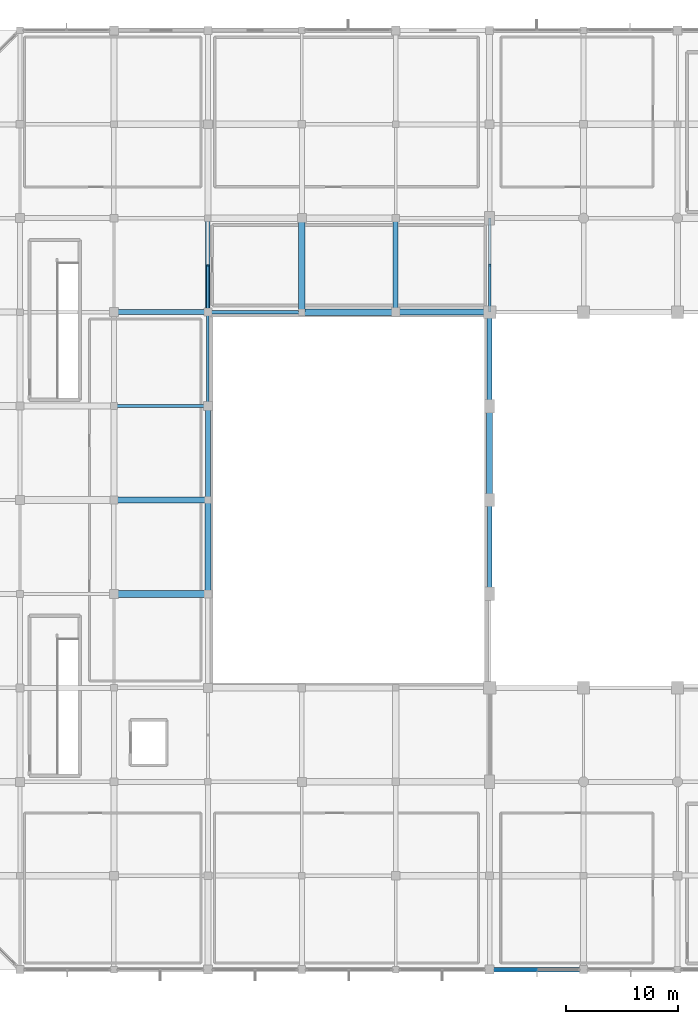
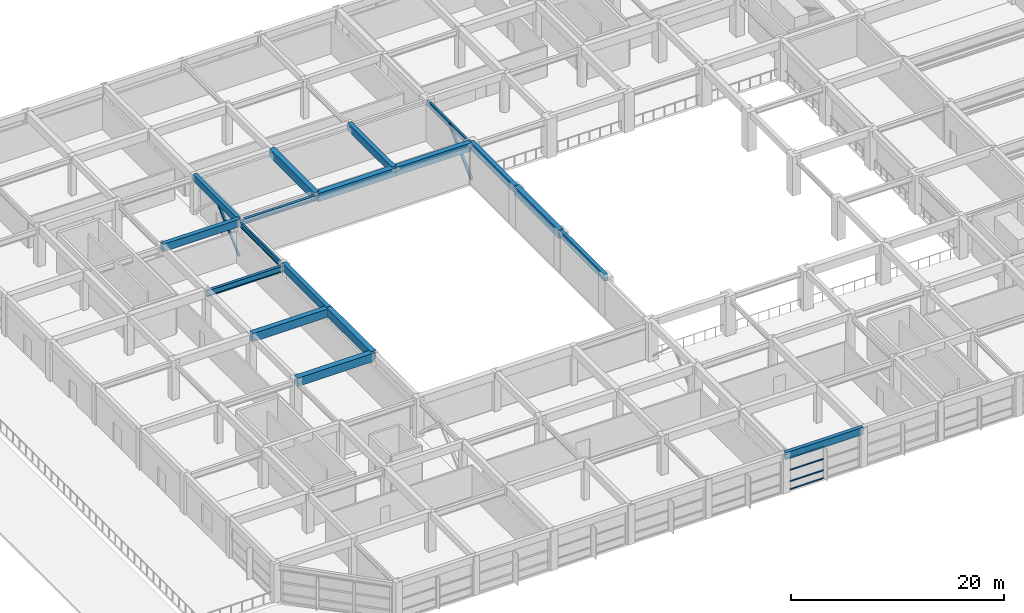
# One storey, part 15 of 56: 18 beams, 6 members, 1 element without a shape of its own.
"""IFC4 building model written with IfcOpenShell, lengths in metres."""

from ifc_helpers import new_model, si_unit, direction, frame, origin, origin_2d, place, context, subcontext, project, spatial, rectangle, hollow_rectangle, i_section, extrude, material, material_profile, profile_set, type_object, element, aggregate, save


model = new_model("IFC4")

# Units and contexts
model_context = context("Model", 3, precision=1e-05, world=origin(), true_north=direction((0.0, 1.0)))
body_context = subcontext(model_context, "Body", "Model", "MODEL_VIEW")
ifc_project = project(units=[si_unit("LENGTHUNIT", "METRE"), si_unit("AREAUNIT", "SQUARE_METRE"), si_unit("VOLUMEUNIT", "CUBIC_METRE"), si_unit("PLANEANGLEUNIT", "RADIAN"), si_unit("MASSUNIT", "GRAM", prefix="KILO")], contexts=[model_context])

# Site, building, storey
site_placement = place(None, origin())
site = spatial("IfcSite", under=ifc_project, at=site_placement, CompositionType="ELEMENT")
building_placement = place(site_placement, origin())
building = spatial("IfcBuilding", under=site, at=building_placement, Name="Xuanlan Plaza Opera House", CompositionType="ELEMENT")
storey_placement = place(building_placement, frame((0.0, 0.0, 18.89990234375)))
storey = spatial("IfcBuildingStorey", under=building, at=storey_placement, Name="L04", CompositionType="ELEMENT", Elevation=18.89990234375)

# Curtain wall, members
ifc_material_1 = material(Name="Anodised Aluminium 6063-T6 and Low-E Glass", Category="aluminium")
curtain_wall_type = type_object("IfcCurtainWallType", Name="ENV-CW-CW-05", PredefinedType="USERDEFINED", material=ifc_material_1)
curtain_wall_placement = place(storey_placement, origin())
curtain_wall = element("IfcCurtainWall", 1, at=curtain_wall_placement, inside=storey, type_object=curtain_wall_type, Name="Acoustic Glazed Wall L04-006", ObjectType="ACOUSTIC GLAZED WALL", PredefinedType="USERDEFINED")
ifc_material_2 = material(Name="Anodised Aluminium 6063-T6", Category="aluminium")
ifc_material_profile_1 = material_profile(ifc_material_2, rectangle(XDim=0.074951171875, YDim=0.14990234375, at=origin_2d()), Name="ALU-T 75x150")
ifc_profile_set_1 = profile_set([ifc_material_profile_1], Name="Anodised Aluminium 6063-T6")
member_type_1 = type_object("IfcMemberType", Name="ENV-CWT-03", PredefinedType="USERDEFINED", material=ifc_profile_set_1)
member_1_placement = place(storey_placement, frame((67.68994140625, 16.800048828125, 0.03759765625), z_axis=(1.0, 0.0, 0.0), x_axis=(0.0, 1.0, 0.0)))
member_1 = element("IfcMember", 2, at=member_1_placement, type_object=member_type_1, Name="CW-05 transom 1.1", ObjectType="TRANSOM", PredefinedType="USERDEFINED", context=body_context, shape_type="SweptSolid", body=[
    extrude(rectangle(XDim=0.074951171875, YDim=0.14990234375, at=origin_2d()), origin(), (0.0, 0.0, 1.0), 3.699951171875),
])
member_2_placement = place(storey_placement, frame((67.68994140625, 16.800048828125, 0.9501953125), z_axis=(1.0, 0.0, 0.0), x_axis=(0.0, 1.0, 0.0)))
member_2 = element("IfcMember", 3, at=member_2_placement, type_object=member_type_1, Name="CW-05 transom 1.2", ObjectType="TRANSOM", PredefinedType="USERDEFINED", context=body_context, shape_type="SweptSolid", body=[
    extrude(rectangle(XDim=0.074951171875, YDim=0.14990234375, at=origin_2d()), origin(), (0.0, 0.0, 1.0), 3.699951171875),
])
member_3_placement = place(storey_placement, frame((67.68994140625, 16.800048828125, 2.25), z_axis=(1.0, 0.0, 0.0), x_axis=(0.0, 1.0, 0.0)))
member_3 = element("IfcMember", 4, at=member_3_placement, type_object=member_type_1, Name="CW-05 transom 1.3", ObjectType="TRANSOM", PredefinedType="USERDEFINED", context=body_context, shape_type="SweptSolid", body=[
    extrude(rectangle(XDim=0.074951171875, YDim=0.14990234375, at=origin_2d()), origin(), (0.0, 0.0, 1.0), 3.699951171875),
])
member_4_placement = place(storey_placement, frame((67.68994140625, 16.800048828125, 3.642578125), z_axis=(1.0, 0.0, 0.0), x_axis=(0.0, 1.0, 0.0)))
member_4 = element("IfcMember", 5, at=member_4_placement, type_object=member_type_1, Name="CW-05 transom 1.4", ObjectType="TRANSOM", PredefinedType="USERDEFINED", context=body_context, shape_type="SweptSolid", body=[
    extrude(rectangle(XDim=0.074951171875, YDim=0.14990234375, at=origin_2d()), origin(), (0.0, 0.0, 1.0), 3.699951171875),
])
aggregate(curtain_wall, [member_1, member_2, member_3, member_4])

# Beams
ifc_material_3 = material(Name="Concrete C50", Category="concrete")
ifc_material_profile_2 = material_profile(ifc_material_3, rectangle(XDim=0.60009765625, YDim=0.949951171875, at=origin_2d()), Name="RC-BM 600x950")
ifc_profile_set_2 = profile_set([ifc_material_profile_2], Name="Concrete C50")
beam_type_1 = type_object("IfcBeamType", Name="STR-BM-B-01", PredefinedType="BEAM", material=ifc_profile_set_2)
beam_1_placement = place(storey_placement, frame((33.60009765625, 50.39990234375, 4.025146484375), z_axis=(1.0, 0.0, 0.0), x_axis=(0.0, 1.0, 0.0)))
element("IfcBeam", 6, at=beam_1_placement, inside=storey, type_object=beam_type_1, Name="Grid Beam X L04 5-6/G", PredefinedType="BEAM", context=body_context, shape_type="SweptSolid", body=[
    extrude(rectangle(XDim=0.60009765625, YDim=0.949951171875, at=origin_2d()), origin(), (0.0, 0.0, 1.0), 8.39990234375),
])
beam_2_placement = place(storey_placement, frame((50.39990234375, 75.60009765625, 4.025146484375), z_axis=(1.0, 0.0, 0.0), x_axis=(0.0, 1.0, 0.0)))
element("IfcBeam", 7, at=beam_2_placement, inside=storey, type_object=beam_type_1, Name="Grid Beam X L04 7-8/J", PredefinedType="BEAM", context=body_context, shape_type="SweptSolid", body=[
    extrude(rectangle(XDim=0.60009765625, YDim=0.949951171875, at=origin_2d()), origin(), (0.0, 0.0, 1.0), 8.400146484375),
])
ifc_material_profile_3 = material_profile(ifc_material_3, rectangle(XDim=0.550048828125, YDim=0.949951171875, at=origin_2d()), Name="RC-BM 550x950")
ifc_profile_set_3 = profile_set([ifc_material_profile_3], Name="Concrete C50")
beam_type_2 = type_object("IfcBeamType", Name="STR-BM-B-02", PredefinedType="BEAM", material=ifc_profile_set_3)
for number, where, z_axis, x_axis, name in (
    (8, (33.60009765625, 58.800048828125, 4.025146484375), (1.0, 0.0, 0.0), (0.0, 1.0, 0.0), "Grid Beam X L04 5-6/H"),
    (9, (58.800048828125, 75.60009765625, 4.025146484375), (1.0, 0.0, 0.0), (0.0, 1.0, 0.0), "Grid Beam X L04 8-9/J"),
):
    element("IfcBeam", number, at=place(storey_placement, frame(where, z_axis=z_axis, x_axis=x_axis)), inside=storey, type_object=beam_type_2, Name=name, PredefinedType="BEAM", context=body_context, shape_type="SweptSolid", body=[
        extrude(rectangle(XDim=0.550048828125, YDim=0.949951171875, at=origin_2d()), origin(), (0.0, 0.0, 1.0), 8.39990234375),
    ])
beam_3_placement = place(storey_placement, frame((42.0, 50.39990234375, 4.025146484375), z_axis=(0.0, 1.0, 0.0), x_axis=(-1.0, 0.0, 0.0)))
element("IfcBeam", 10, at=beam_3_placement, inside=storey, type_object=beam_type_2, Name="Grid Beam Y L04 6/G-H", PredefinedType="BEAM", context=body_context, shape_type="SweptSolid", body=[
    extrude(rectangle(XDim=0.550048828125, YDim=0.949951171875, at=origin_2d()), origin(), (0.0, 0.0, 1.0), 8.400146484375),
])
for number, where, z_axis, x_axis, name in (
    (11, (50.39990234375, 75.60009765625, 4.025146484375), (0.0, 1.0, 0.0), (-1.0, 0.0, 0.0), "Grid Beam Y L04 7/J-K"),
    (12, (67.199951171875, 58.800048828125, 4.025146484375), (0.0, 1.0, 0.0), (-1.0, 0.0, 0.0), "Grid Beam Y L04 9/H-I"),
):
    element("IfcBeam", number, at=place(storey_placement, frame(where, z_axis=z_axis, x_axis=x_axis)), inside=storey, type_object=beam_type_2, Name=name, PredefinedType="BEAM", context=body_context, shape_type="SweptSolid", body=[
        extrude(rectangle(XDim=0.550048828125, YDim=0.949951171875, at=origin_2d()), origin(), (0.0, 0.0, 1.0), 8.39990234375),
    ])
ifc_material_4 = material(Name="Concrete C40", Category="concrete")
ifc_material_profile_4 = material_profile(ifc_material_4, rectangle(XDim=0.449951171875, YDim=0.85009765625, at=origin_2d()), Name="RC-BM 450x850")
ifc_profile_set_4 = profile_set([ifc_material_profile_4], Name="Concrete C40")
beam_type_3 = type_object("IfcBeamType", Name="STR-BM-B-04", PredefinedType="BEAM", material=ifc_profile_set_4)
for number, where, z_axis, x_axis, name in (
    (13, (33.60009765625, 75.60009765625, 4.0751953125), (1.0, 0.0, 0.0), (0.0, 1.0, 0.0), "Grid Beam X L04 5-6/J"),
    (14, (42.0, 58.800048828125, 4.0751953125), (0.0, 1.0, 0.0), (-1.0, 0.0, 0.0), "Grid Beam Y L04 6/H-I"),
    (15, (58.800048828125, 75.60009765625, 4.0751953125), (0.0, 1.0, 0.0), (-1.0, 0.0, 0.0), "Grid Beam Y L04 8/J-K"),
):
    element("IfcBeam", number, at=place(storey_placement, frame(where, z_axis=z_axis, x_axis=x_axis)), inside=storey, type_object=beam_type_3, Name=name, PredefinedType="BEAM", context=body_context, shape_type="SweptSolid", body=[
        extrude(rectangle(XDim=0.449951171875, YDim=0.85009765625, at=origin_2d()), origin(), (0.0, 0.0, 1.0), 8.39990234375),
    ])
beam_4_placement = place(storey_placement, frame((67.199951171875, 67.199951171875, 4.0751953125), z_axis=(0.0, 1.0, 0.0), x_axis=(-1.0, 0.0, 0.0)))
element("IfcBeam", 16, at=beam_4_placement, inside=storey, type_object=beam_type_3, Name="Grid Beam Y L04 9/I-J", PredefinedType="BEAM", context=body_context, shape_type="SweptSolid", body=[
    extrude(rectangle(XDim=0.449951171875, YDim=0.85009765625, at=origin_2d()), origin(), (0.0, 0.0, 1.0), 8.400146484375),
])
ifc_material_profile_5 = material_profile(ifc_material_4, rectangle(XDim=0.39990234375, YDim=0.75, at=origin_2d()), Name="RC-BM 400x750")
ifc_profile_set_5 = profile_set([ifc_material_profile_5], Name="Concrete C40")
beam_type_4 = type_object("IfcBeamType", Name="STR-BM-B-06", PredefinedType="BEAM", material=ifc_profile_set_5)
beam_5_placement = place(storey_placement, frame((42.0, 75.60009765625, 4.125), z_axis=(0.0, 1.0, 0.0), x_axis=(-1.0, 0.0, 0.0)))
element("IfcBeam", 17, at=beam_5_placement, inside=storey, type_object=beam_type_4, Name="Grid Beam Y L04 6/J-K", PredefinedType="BEAM", context=body_context, shape_type="SweptSolid", body=[
    extrude(rectangle(XDim=0.39990234375, YDim=0.75, at=origin_2d()), origin(), (0.0, 0.0, 1.0), 8.39990234375),
])
beam_6_placement = place(storey_placement, frame((67.199951171875, 50.39990234375, 4.125), z_axis=(0.0, 1.0, 0.0), x_axis=(-1.0, 0.0, 0.0)))
element("IfcBeam", 18, at=beam_6_placement, inside=storey, type_object=beam_type_4, Name="Grid Beam Y L04 9/G-H", PredefinedType="BEAM", context=body_context, shape_type="SweptSolid", body=[
    extrude(rectangle(XDim=0.39990234375, YDim=0.75, at=origin_2d()), origin(), (0.0, 0.0, 1.0), 8.400146484375),
])
ifc_material_5 = material(Name="Steel Q355B", Category="steel")
ifc_material_profile_6 = material_profile(ifc_material_5, i_section(OverallWidth=0.300048828125, OverallDepth=0.699951171875, WebThickness=0.012939453125, FlangeThickness=0.02392578125, FilletRadius=0.02392578125, at=origin_2d()), Name="HN 700x300x13x24")
ifc_profile_set_6 = profile_set([ifc_material_profile_6], Name="Steel Q355B")
beam_type_5 = type_object("IfcBeamType", Name="STR-BM-SB-03", PredefinedType="BEAM", material=ifc_profile_set_6)
beam_7_placement = place(storey_placement, frame((33.60009765625, 67.199951171875, 3.885009765625), z_axis=(1.0, 0.0, 0.0), x_axis=(0.0, 1.0, 0.0)))
element("IfcBeam", 19, at=beam_7_placement, inside=storey, type_object=beam_type_5, Name="Grid Beam X L04 5-6/I", PredefinedType="BEAM", context=body_context, shape_type="SweptSolid", body=[
    extrude(i_section(OverallWidth=0.300048828125, OverallDepth=0.699951171875, WebThickness=0.012939453125, FlangeThickness=0.02392578125, FilletRadius=0.02392578125, at=origin_2d()), origin(), (0.0, 0.0, 1.0), 8.39990234375),
])
ifc_material_profile_7 = material_profile(ifc_material_5, i_section(OverallWidth=0.199951171875, OverallDepth=0.60009765625, WebThickness=0.010986328125, FlangeThickness=0.01708984375, FilletRadius=0.02197265625, at=origin_2d()), Name="HN 600x200x11x17")
ifc_profile_set_7 = profile_set([ifc_material_profile_7], Name="Steel Q355B")
beam_type_6 = type_object("IfcBeamType", Name="STR-BM-SB-04", PredefinedType="BEAM", material=ifc_profile_set_7)
beam_8_placement = place(storey_placement, frame((42.0, 67.199951171875, 3.93505859375), z_axis=(0.0, 1.0, 0.0), x_axis=(-1.0, 0.0, 0.0)))
element("IfcBeam", 20, at=beam_8_placement, inside=storey, type_object=beam_type_6, Name="Grid Beam Y L04 6/I-J", PredefinedType="BEAM", context=body_context, shape_type="SweptSolid", body=[
    extrude(i_section(OverallWidth=0.199951171875, OverallDepth=0.60009765625, WebThickness=0.010986328125, FlangeThickness=0.01708984375, FilletRadius=0.02197265625, at=origin_2d()), origin(), (0.0, 0.0, 1.0), 8.400146484375),
])
beam_9_placement = place(storey_placement, frame((67.199951171875, 75.60009765625, 3.93505859375), z_axis=(0.0, 1.0, 0.0), x_axis=(-1.0, 0.0, 0.0)))
element("IfcBeam", 21, at=beam_9_placement, inside=storey, type_object=beam_type_6, Name="Grid Beam Y L04 9/J-K", PredefinedType="BEAM", context=body_context, shape_type="SweptSolid", body=[
    extrude(i_section(OverallWidth=0.199951171875, OverallDepth=0.60009765625, WebThickness=0.010986328125, FlangeThickness=0.01708984375, FilletRadius=0.02197265625, at=origin_2d()), origin(), (0.0, 0.0, 1.0), 8.39990234375),
])
ifc_material_profile_8 = material_profile(ifc_material_5, i_section(OverallWidth=0.300048828125, OverallDepth=0.587890625, WebThickness=0.011962890625, FlangeThickness=0.02001953125, FilletRadius=0.02392578125, at=origin_2d()), Name="HM 588x300x12x20")
ifc_profile_set_8 = profile_set([ifc_material_profile_8], Name="Steel Q355B")
beam_type_7 = type_object("IfcBeamType", Name="STR-BM-SB-06", PredefinedType="BEAM", material=ifc_profile_set_8)
beam_10_placement = place(storey_placement, frame((42.0, 75.60009765625, 3.941162109375), z_axis=(1.0, 0.0, 0.0), x_axis=(0.0, 1.0, 0.0)))
element("IfcBeam", 22, at=beam_10_placement, inside=storey, type_object=beam_type_7, Name="Grid Beam X L04 6-7/J", PredefinedType="BEAM", context=body_context, shape_type="SweptSolid", body=[
    extrude(i_section(OverallWidth=0.300048828125, OverallDepth=0.587890625, WebThickness=0.011962890625, FlangeThickness=0.02001953125, FilletRadius=0.02392578125, at=origin_2d()), origin(), (0.0, 0.0, 1.0), 8.39990234375),
])
ifc_material_profile_9 = material_profile(ifc_material_4, rectangle(XDim=0.39990234375, YDim=0.800048828125, at=origin_2d()), Name="RC-SPD 400x800")
ifc_profile_set_9 = profile_set([ifc_material_profile_9], Name="Concrete C40")
beam_type_8 = type_object("IfcBeamType", Name="STR-BM-SP-01", PredefinedType="SPANDREL", material=ifc_profile_set_9)
beam_11_placement = place(storey_placement, frame((67.199951171875, 16.800048828125, 4.10009765625), z_axis=(1.0, 0.0, 0.0), x_axis=(0.0, 1.0, 0.0)))
element("IfcBeam", 23, at=beam_11_placement, inside=storey, type_object=beam_type_8, Name="Grid Beam X L04 9-10/C", PredefinedType="SPANDREL", context=body_context, shape_type="SweptSolid", body=[
    extrude(rectangle(XDim=0.39990234375, YDim=0.800048828125, at=origin_2d()), origin(), (0.0, 0.0, 1.0), 8.400146484375),
])

# Members
ifc_material_profile_10 = material_profile(ifc_material_5, hollow_rectangle(XDim=0.25, YDim=0.25, WallThickness=0.011962890625, at=origin_2d()), Name="SHS 250x250x12")
ifc_profile_set_10 = profile_set([ifc_material_profile_10], Name="Steel Q355B")
member_type_2 = type_object("IfcMemberType", Name="STR-MEM-BR-06", PredefinedType="BRACE", material=ifc_profile_set_10)
member_5_placement = place(storey_placement, frame((67.199951171875, 75.60009765625, 0.10009765625), z_axis=(0.0, 0.737141689437, 0.675738210918), x_axis=(-1.0, 0.0, 0.0)))
element("IfcMember", 24, at=member_5_placement, inside=storey, type_object=member_type_2, Name="Stage Lateral Chevron Brace L04-3A", PredefinedType="BRACE", context=body_context, shape_type="SweptSolid", body=[
    extrude(hollow_rectangle(XDim=0.25, YDim=0.25, WallThickness=0.011962890625, at=origin_2d()), origin(), (0.0, 0.0, 1.0), 5.697509765625),
])
ifc_material_profile_11 = material_profile(ifc_material_5, hollow_rectangle(XDim=0.199951171875, YDim=0.199951171875, WallThickness=0.010009765625, at=origin_2d()), Name="SHS 200x200x10")
ifc_profile_set_11 = profile_set([ifc_material_profile_11], Name="Steel Q355B")
member_type_3 = type_object("IfcMemberType", Name="STR-MEM-BR-07", PredefinedType="BRACE", material=ifc_profile_set_11)
member_6_placement = place(storey_placement, frame((42.0, 75.60009765625, 0.10009765625), z_axis=(0.0, 0.737141689437, 0.675738210918), x_axis=(-1.0, 0.0, 0.0)))
element("IfcMember", 25, at=member_6_placement, inside=storey, type_object=member_type_3, Name="Stage Lateral Chevron Brace L04-1A", PredefinedType="BRACE", context=body_context, shape_type="SweptSolid", body=[
    extrude(hollow_rectangle(XDim=0.199951171875, YDim=0.199951171875, WallThickness=0.010009765625, at=origin_2d()), origin(), (0.0, 0.0, 1.0), 5.697509765625),
])

save(model, "model.ifc")
